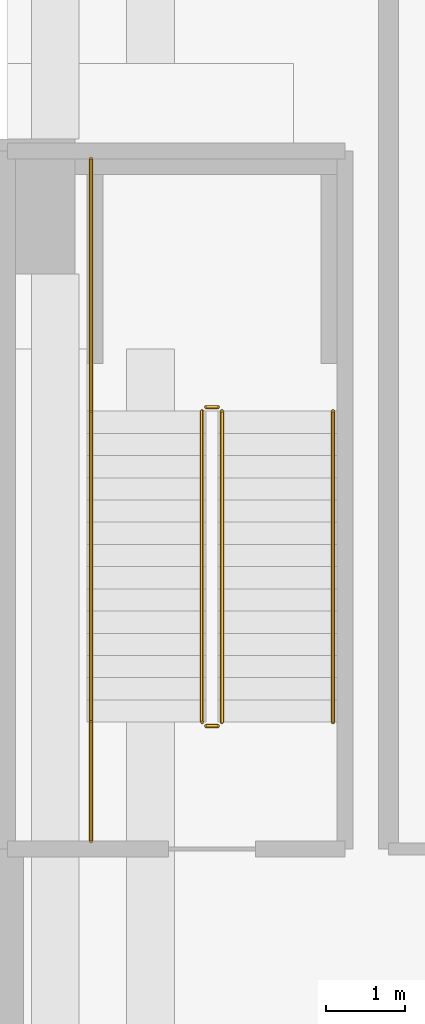
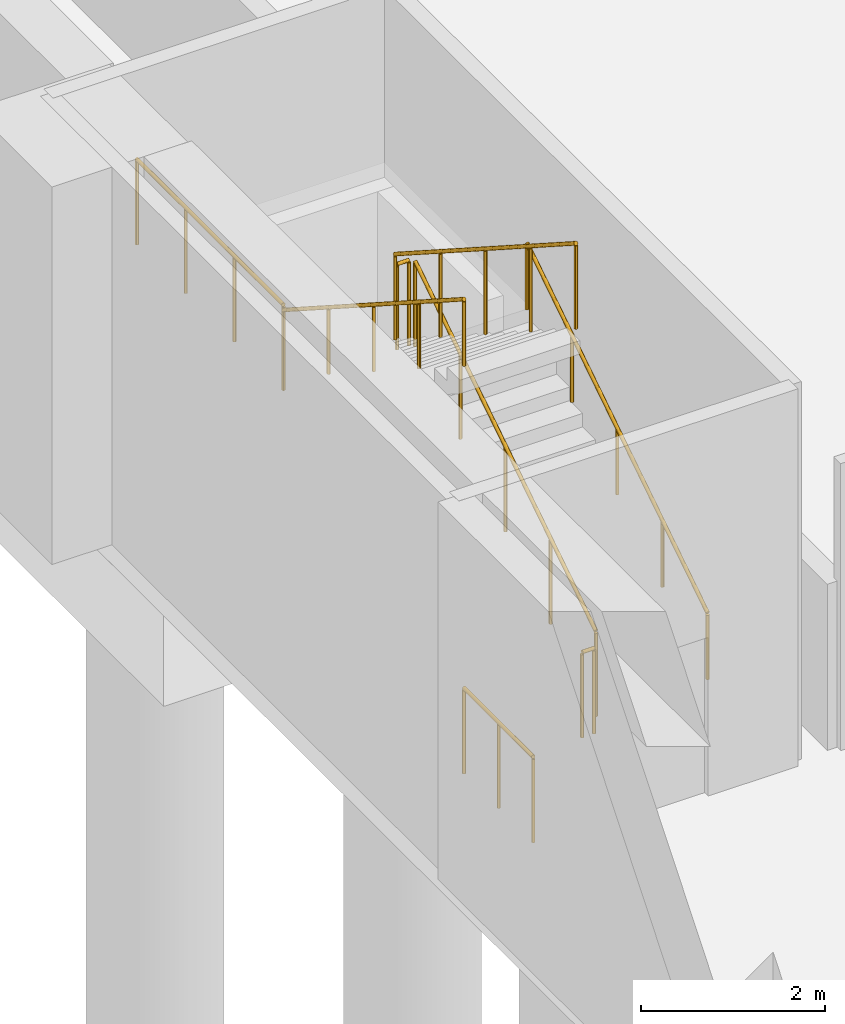
# One storey, part 15 of 20: 8 railings.
"""IFC4 building model written with IfcOpenShell, lengths in metres."""

from ifc_helpers import new_model, si_unit, direction, frame, origin, origin_2d, place, context, subcontext, project, spatial, circle, extrude, material, type_object, element, save


model = new_model("IFC4")

# Units and contexts
model_context = context("Model", 3, precision=1e-05, world=origin(), true_north=direction((0.0, 1.0)))
body_context = subcontext(model_context, "Body", "Model", "MODEL_VIEW")
ifc_project = project(units=[si_unit("LENGTHUNIT", "METRE"), si_unit("AREAUNIT", "SQUARE_METRE"), si_unit("VOLUMEUNIT", "CUBIC_METRE"), si_unit("PLANEANGLEUNIT", "RADIAN"), si_unit("MASSUNIT", "GRAM", prefix="KILO")], contexts=[model_context])

# Site, building, storey
site_placement = place(None, origin())
site = spatial("IfcSite", under=ifc_project, at=site_placement, CompositionType="ELEMENT")
building_placement = place(site_placement, origin())
building = spatial("IfcBuilding", under=site, at=building_placement, Name="Saffron Iwan Residences", CompositionType="ELEMENT")
storey_placement = place(building_placement, frame((0.0, 0.0, -5.39990234375)))
storey = spatial("IfcBuildingStorey", under=building, at=storey_placement, Name="B1", CompositionType="ELEMENT", Elevation=-5.39990234375)

# Railings
ifc_material = material(Name="Steel S355", Category="steel")
railing_type_1 = type_object("IfcRailingType", Name="Podium stair guard 1150", PredefinedType="GUARDRAIL", material=ifc_material)
railing_1_placement = place(storey_placement, frame((2.699951171875, 55.89990234375, 0.179931640625)))
element("IfcRailing", 1, at=railing_1_placement, inside=storey, type_object=railing_type_1, Name="B1 PS3 stair guard 1", PredefinedType="GUARDRAIL", context=body_context, shape_type="SweptSolid", body=[
    extrude(circle(Radius=0.02392578125, at=origin_2d()), frame((0.0, 0.0, 1.1259765625), z_axis=(0.0, 0.841186985886, 0.540744352514), x_axis=(-1.0, 0.0, 0.0)), (0.0, 0.0, 1.0), 4.660400390625),
    extrude(circle(Radius=0.02099609375, at=origin_2d()), origin(), (0.0, 0.0, 1.0), 1.101806640625),
    extrude(circle(Radius=0.02099609375, at=origin_2d()), frame((0.0, 0.97998046875, 0.6298828125)), (0.0, 0.0, 1.0), 1.101806640625),
    extrude(circle(Radius=0.02099609375, at=origin_2d()), frame((0.0, 1.9599609375, 1.260009765625)), (0.0, 0.0, 1.0), 1.101806640625),
    extrude(circle(Radius=0.02099609375, at=origin_2d()), frame((0.0, 2.940185546875, 1.89013671875)), (0.0, 0.0, 1.0), 1.101806640625),
    extrude(circle(Radius=0.02099609375, at=origin_2d()), frame((0.0, 3.920166015625, 2.52001953125)), (0.0, 0.0, 1.0), 1.101806640625),
])
railing_2_placement = place(storey_placement, frame((2.64990234375, 59.8701171875, 2.699951171875)))
element("IfcRailing", 2, at=railing_2_placement, inside=storey, type_object=railing_type_1, Name="B1 PS3 stair guard 2", PredefinedType="GUARDRAIL", context=body_context, shape_type="SweptSolid", body=[
    extrude(circle(Radius=0.02392578125, at=origin_2d()), frame((0.0, 0.0, 1.1259765625), z_axis=(-1.0, 0.0, 0.0), x_axis=(0.0, -1.0, 0.0)), (0.0, 0.0, 1.0), 0.14990234375),
    extrude(circle(Radius=0.02099609375, at=origin_2d()), origin(), (0.0, 0.0, 1.0), 1.101806640625),
    extrude(circle(Radius=0.02099609375, at=origin_2d()), frame((-0.14990234375, 0.0, 0.0)), (0.0, 0.0, 1.0), 1.101806640625),
])
railing_3_placement = place(storey_placement, frame((1.050048828125, 59.820068359375, 2.699951171875)))
element("IfcRailing", 3, at=railing_3_placement, inside=storey, type_object=railing_type_1, Name="B1 PS3 stair guard 3", PredefinedType="GUARDRAIL", context=body_context, shape_type="SweptSolid", body=[
    extrude(circle(Radius=0.02392578125, at=origin_2d()), frame((0.0, 0.0, 1.1259765625), z_axis=(0.0, 1.0, 0.0), x_axis=(-1.0, 0.0, 0.0)), (0.0, 0.0, 1.0), 3.179931640625),
    extrude(circle(Radius=0.02099609375, at=origin_2d()), origin(), (0.0, 0.0, 1.0), 1.101806640625),
    extrude(circle(Radius=0.02099609375, at=origin_2d()), frame((0.0, 1.06005859375, 0.0)), (0.0, 0.0, 1.0), 1.101806640625),
    extrude(circle(Radius=0.02099609375, at=origin_2d()), frame((0.0, 2.119873046875, 0.0)), (0.0, 0.0, 1.0), 1.101806640625),
    extrude(circle(Radius=0.02099609375, at=origin_2d()), frame((0.0, 3.179931640625, 0.0)), (0.0, 0.0, 1.0), 1.101806640625),
])
railing_4_placement = place(storey_placement, frame((2.449951171875, 59.820068359375, 2.8798828125)))
element("IfcRailing", 4, at=railing_4_placement, inside=storey, type_object=railing_type_1, Name="B1 PS3 stair guard 4", PredefinedType="GUARDRAIL", context=body_context, shape_type="SweptSolid", body=[
    extrude(circle(Radius=0.02392578125, at=origin_2d()), frame((0.0, 0.0, 1.1259765625), z_axis=(0.0, -0.841186985886, 0.540744352514), x_axis=(1.0, 0.0, 0.0)), (0.0, 0.0, 1.0), 4.660400390625),
    extrude(circle(Radius=0.02099609375, at=origin_2d()), origin(), (0.0, 0.0, 1.0), 1.101806640625),
    extrude(circle(Radius=0.02099609375, at=origin_2d()), frame((0.0, -0.97998046875, 0.6298828125)), (0.0, 0.0, 1.0), 1.101806640625),
    extrude(circle(Radius=0.02099609375, at=origin_2d()), frame((0.0, -1.9599609375, 1.260009765625)), (0.0, 0.0, 1.0), 1.101806640625),
    extrude(circle(Radius=0.02099609375, at=origin_2d()), frame((0.0, -2.940185546875, 1.89013671875)), (0.0, 0.0, 1.0), 1.101806640625),
    extrude(circle(Radius=0.02099609375, at=origin_2d()), frame((0.0, -3.920166015625, 2.52001953125)), (0.0, 0.0, 1.0), 1.101806640625),
])
railing_5_placement = place(storey_placement, frame((2.64990234375, 55.85009765625, 0.0)))
element("IfcRailing", 5, at=railing_5_placement, inside=storey, type_object=railing_type_1, Name="B1 PS3 stair guard 5", PredefinedType="GUARDRAIL", context=body_context, shape_type="SweptSolid", body=[
    extrude(circle(Radius=0.02392578125, at=origin_2d()), frame((0.0, 0.0, 1.1259765625), z_axis=(-1.0, 0.0, 0.0), x_axis=(0.0, -1.0, 0.0)), (0.0, 0.0, 1.0), 0.14990234375),
    extrude(circle(Radius=0.02099609375, at=origin_2d()), origin(), (0.0, 0.0, 1.0), 1.101806640625),
    extrude(circle(Radius=0.02099609375, at=origin_2d()), frame((-0.14990234375, 0.0, 0.0)), (0.0, 0.0, 1.0), 1.101806640625),
])
railing_6_placement = place(storey_placement, frame((1.050048828125, 54.39990234375, 0.0)))
element("IfcRailing", 6, at=railing_6_placement, inside=storey, type_object=railing_type_1, Name="B1 PS3 stair guard 6", PredefinedType="GUARDRAIL", context=body_context, shape_type="SweptSolid", body=[
    extrude(circle(Radius=0.02392578125, at=origin_2d()), frame((0.0, 0.0, 1.1259765625), z_axis=(0.0, 1.0, 0.0), x_axis=(-1.0, 0.0, 0.0)), (0.0, 0.0, 1.0), 1.5),
    extrude(circle(Radius=0.02099609375, at=origin_2d()), origin(), (0.0, 0.0, 1.0), 1.101806640625),
    extrude(circle(Radius=0.02099609375, at=origin_2d()), frame((0.0, 0.75, 0.0)), (0.0, 0.0, 1.0), 1.101806640625),
    extrude(circle(Radius=0.02099609375, at=origin_2d()), frame((0.0, 1.5, 0.0)), (0.0, 0.0, 1.0), 1.101806640625),
])
railing_type_2 = type_object("IfcRailingType", Name="Podium stair handrail 900", PredefinedType="HANDRAIL", material=ifc_material)
railing_7_placement = place(storey_placement, frame((4.10009765625, 55.89990234375, 0.179931640625)))
element("IfcRailing", 7, at=railing_7_placement, inside=storey, type_object=railing_type_2, Name="B1 PS3 stair handrail 1", PredefinedType="HANDRAIL", context=body_context, shape_type="SweptSolid", body=[
    extrude(circle(Radius=0.02392578125, at=origin_2d()), frame((0.0, 0.0, 0.8759765625), z_axis=(0.0, 0.841186985886, 0.540744352514), x_axis=(-1.0, 0.0, 0.0)), (0.0, 0.0, 1.0), 4.660400390625),
    extrude(circle(Radius=0.02099609375, at=origin_2d()), origin(), (0.0, 0.0, 1.0), 0.851806640625),
    extrude(circle(Radius=0.02099609375, at=origin_2d()), frame((0.0, 0.97998046875, 0.6298828125)), (0.0, 0.0, 1.0), 0.851806640625),
    extrude(circle(Radius=0.02099609375, at=origin_2d()), frame((0.0, 1.9599609375, 1.260009765625)), (0.0, 0.0, 1.0), 0.851806640625),
    extrude(circle(Radius=0.02099609375, at=origin_2d()), frame((0.0, 2.940185546875, 1.89013671875)), (0.0, 0.0, 1.0), 0.851806640625),
    extrude(circle(Radius=0.02099609375, at=origin_2d()), frame((0.0, 3.920166015625, 2.52001953125)), (0.0, 0.0, 1.0), 0.851806640625),
])
railing_8_placement = place(storey_placement, frame((1.050048828125, 59.820068359375, 2.8798828125)))
element("IfcRailing", 8, at=railing_8_placement, inside=storey, type_object=railing_type_2, Name="B1 PS3 stair handrail 2", PredefinedType="HANDRAIL", context=body_context, shape_type="SweptSolid", body=[
    extrude(circle(Radius=0.02392578125, at=origin_2d()), frame((0.0, 0.0, 0.8759765625), z_axis=(0.0, -0.841186985886, 0.540744352514), x_axis=(1.0, 0.0, 0.0)), (0.0, 0.0, 1.0), 4.660400390625),
    extrude(circle(Radius=0.02099609375, at=origin_2d()), origin(), (0.0, 0.0, 1.0), 0.851806640625),
    extrude(circle(Radius=0.02099609375, at=origin_2d()), frame((0.0, -0.97998046875, 0.6298828125)), (0.0, 0.0, 1.0), 0.851806640625),
    extrude(circle(Radius=0.02099609375, at=origin_2d()), frame((0.0, -1.9599609375, 1.260009765625)), (0.0, 0.0, 1.0), 0.851806640625),
    extrude(circle(Radius=0.02099609375, at=origin_2d()), frame((0.0, -2.940185546875, 1.89013671875)), (0.0, 0.0, 1.0), 0.851806640625),
    extrude(circle(Radius=0.02099609375, at=origin_2d()), frame((0.0, -3.920166015625, 2.52001953125)), (0.0, 0.0, 1.0), 0.851806640625),
])

save(model, "model.ifc")
